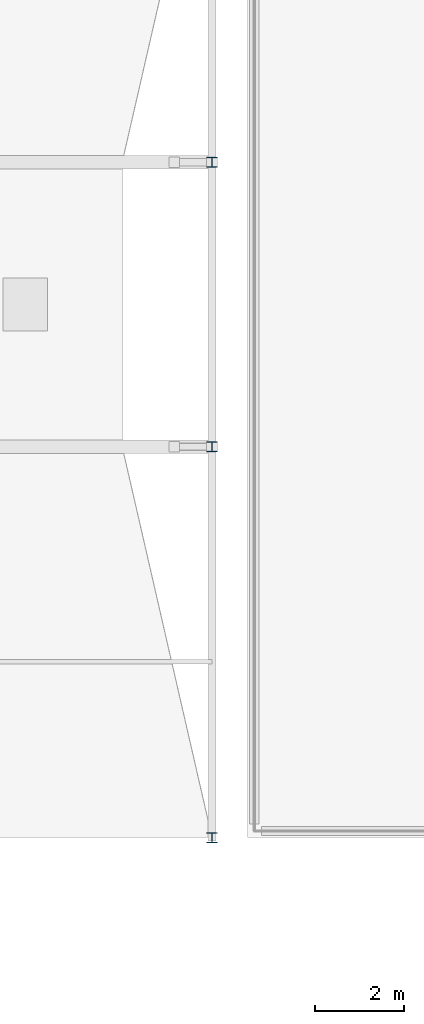
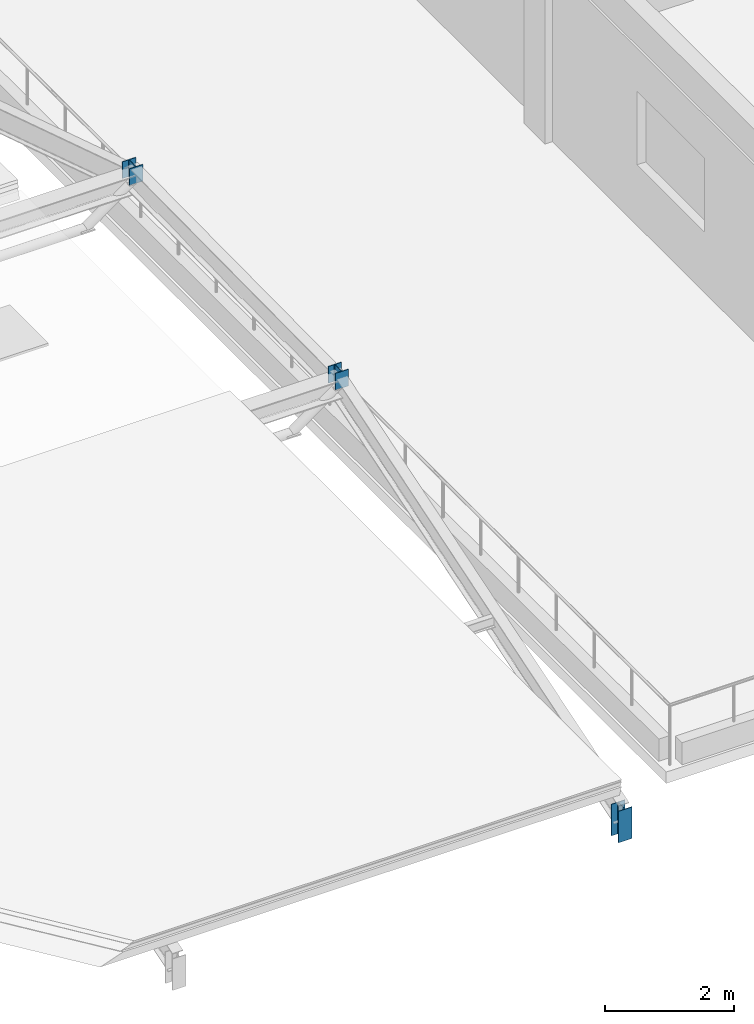
# One storey, part 26 of 54: 3 members.
"""IFC4 building model written with IfcOpenShell, lengths in metres."""

from ifc_helpers import new_model, si_unit, direction, frame, origin, origin_2d, place, context, subcontext, project, spatial, i_section, extrude, material, material_profile, profile_set, type_object, element, save


model = new_model("IFC4")

# Units and contexts
model_context = context("Model", 3, precision=1e-05, world=origin(), true_north=direction((0.0, 1.0)))
body_context = subcontext(model_context, "Body", "Model", "MODEL_VIEW")
ifc_project = project(units=[si_unit("LENGTHUNIT", "METRE"), si_unit("AREAUNIT", "SQUARE_METRE"), si_unit("VOLUMEUNIT", "CUBIC_METRE"), si_unit("PLANEANGLEUNIT", "RADIAN"), si_unit("MASSUNIT", "GRAM", prefix="KILO")], contexts=[model_context])

# Site, building, storey
site_placement = place(None, origin())
site = spatial("IfcSite", under=ifc_project, at=site_placement, CompositionType="ELEMENT")
building_placement = place(site_placement, origin())
building = spatial("IfcBuilding", under=site, at=building_placement, Name="Kenh Van Central Station", CompositionType="ELEMENT")
storey_placement = place(building_placement, frame((0.0, 0.0, 15.0)))
storey = spatial("IfcBuildingStorey", under=building, at=storey_placement, Name="L03", CompositionType="ELEMENT", Elevation=15.0)

# Members
ifc_material = material(Name="Steel S355", Category="steel")
ifc_material_profile = material_profile(ifc_material, i_section(OverallWidth=0.239990234375, OverallDepth=0.22998046875, WebThickness=0.007568359375, FlangeThickness=0.011962890625, FilletRadius=0.02099609375, at=origin_2d()), Name="HEA 240")
ifc_profile_set = profile_set([ifc_material_profile], Name="Steel S355")
member_type = type_object("IfcMemberType", Name="MEM-ROOF-POST240", PredefinedType="POST", material=ifc_profile_set)
member_placement = place(storey_placement, frame((120.0, 16.0, -0.949951171875), z_axis=(0.0, 0.0, 1.0), x_axis=(1.0, 0.0, 0.0)))
element("IfcMember", 1, at=member_placement, inside=storey, type_object=member_type, Name="L03 roof eave post 068", PredefinedType="POST", context=body_context, shape_type="SweptSolid", body=[
    extrude(i_section(OverallWidth=0.239990234375, OverallDepth=0.22998046875, WebThickness=0.007568359375, FlangeThickness=0.011962890625, FilletRadius=0.02099609375, at=origin_2d()), origin(), (0.0, 0.0, 1.0), 0.59814453125),
])
for number, where, z_axis, x_axis, name in (
    (2, (120.0, 24.800048828125, 2.29833984375), (0.0, 0.0, 1.0), (1.0, 0.0, 0.0), "L03 crown skylight post 068"),
    (3, (120.0, 31.199951171875, 2.29833984375), (0.0, 0.0, 1.0), (1.0, 0.0, 0.0), "L03 crown skylight post 068"),
):
    element("IfcMember", number, at=place(storey_placement, frame(where, z_axis=z_axis, x_axis=x_axis)), inside=storey, type_object=member_type, Name=name, PredefinedType="POST", context=body_context, shape_type="SweptSolid", body=[
        extrude(i_section(OverallWidth=0.239990234375, OverallDepth=0.22998046875, WebThickness=0.007568359375, FlangeThickness=0.011962890625, FilletRadius=0.02099609375, at=origin_2d()), origin(), (0.0, 0.0, 1.0), 0.316650390625),
    ])

save(model, "model.ifc")
